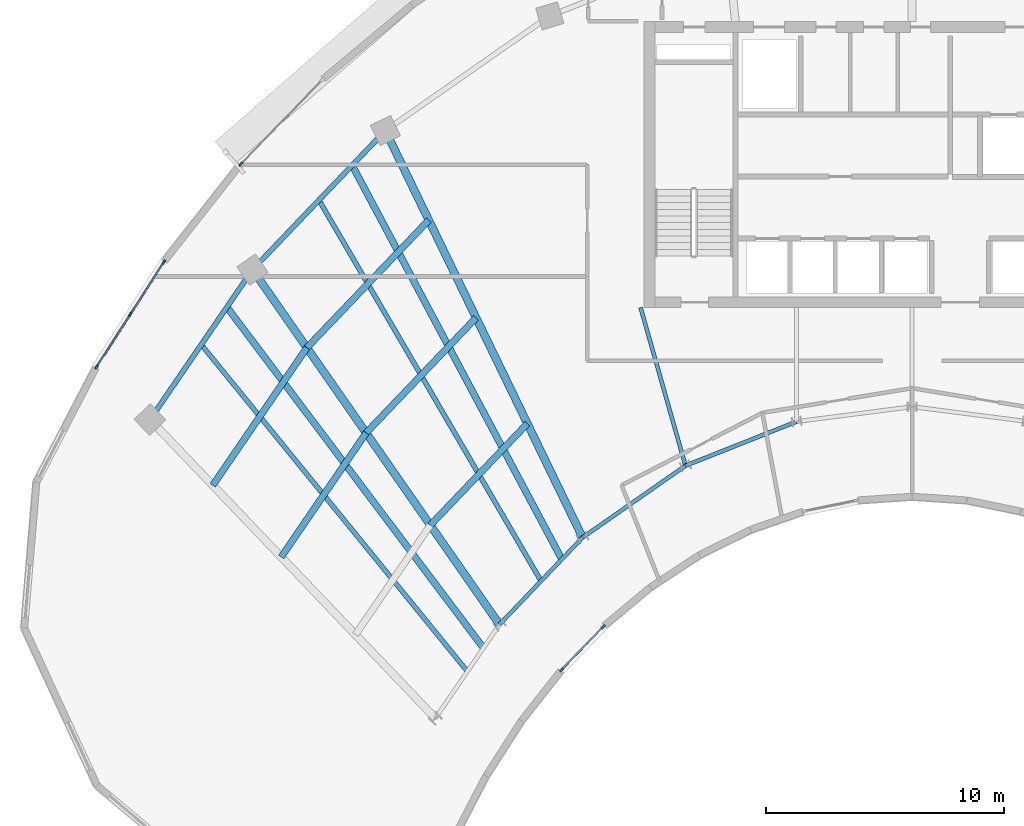
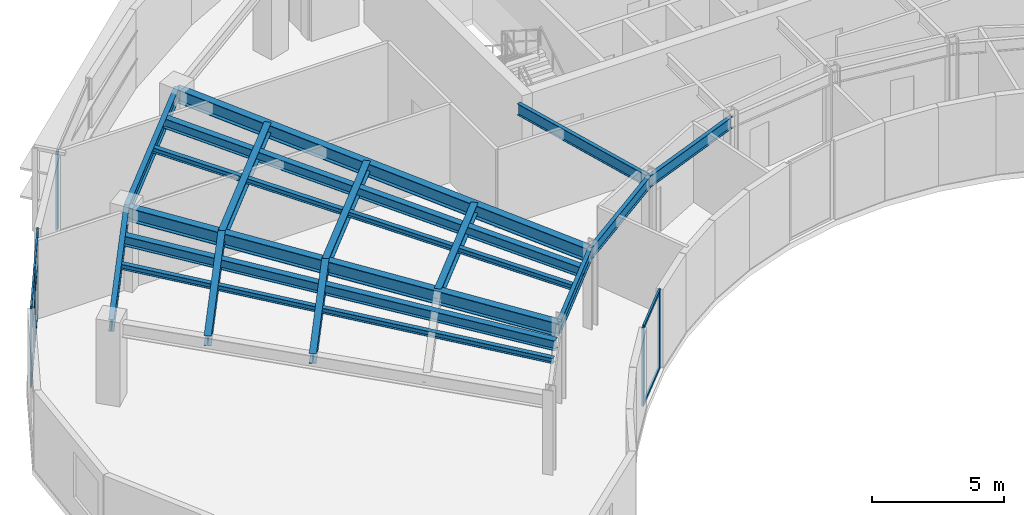
# One storey, part 2 of 14: 17 beams, 14 members, 3 elements without a shape of their own.
"""IFC4 building model written with IfcOpenShell, lengths in metres."""

import ifcopenshell
import ifcopenshell.guid

model = None  # the IFC model being written
_history = None  # IfcOwnerHistory: only IFC2X3 demands one
_inside = {}  # id of a spatial element -> (the spatial element, [elements in it])
_under = {}  # id of a project, library or spatial element -> (it, [spatial elements below it])
_declared = {}  # id of a project -> (the project, [libraries it declares])
_typed = {}  # id of a type object -> (the type object, [elements of that type])
_made_of = {}  # id of a material, layer set ... -> (it, [elements and type objects made of it])


def new_model(schema):
    """Start an empty IFC model of exactly this schema.

    Asked for "IFC4X3", IfcOpenShell would pick the latest addendum, in which some entities
    have other attributes; the version numbers below select the first issue.
    IFC2X3 requires an IfcOwnerHistory on every rooted entity: one is made here for all.
    """
    global model, _history
    if schema == "IFC4X3":
        model = ifcopenshell.file(schema_version=(4, 3, 0, 0))
    else:
        model = ifcopenshell.file(schema=schema)
    _inside.clear()
    _under.clear()
    _declared.clear()
    _typed.clear()
    _made_of.clear()
    _history = None
    if model.schema == "IFC2X3":
        org = make("IfcOrganization", Name="unknown")
        user = make(
            "IfcPersonAndOrganization",
            ThePerson=make("IfcPerson", FamilyName="unknown"),
            TheOrganization=org,
        )
        app = make(
            "IfcApplication",
            ApplicationDeveloper=org,
            Version="unknown",
            ApplicationFullName="unknown",
            ApplicationIdentifier="unknown",
        )
        _history = make(
            "IfcOwnerHistory",
            OwningUser=user,
            OwningApplication=app,
            ChangeAction="ADDED",
            CreationDate=0,
        )
    return model


def make(cls, **values):
    """One entity of the class cls with the attributes given. An attribute that is None is left unset."""
    return model.create_entity(
        cls, **{name: value for name, value in values.items() if value is not None}
    )


def rooted(cls, **values):
    """An entity with a GlobalId (a new one), such as an element, a storey or a relation."""
    return make(cls, GlobalId=ifcopenshell.guid.new(), OwnerHistory=_history, **values)


def si_unit(unit_type, name, prefix=None):
    """IfcSIUnit, for example si_unit("LENGTHUNIT", "METRE", prefix="MILLI")."""
    return make("IfcSIUnit", UnitType=unit_type, Prefix=prefix, Name=name)


def assignment(units):
    """IfcUnitAssignment: the units of a project."""
    return None if units is None else make("IfcUnitAssignment", Units=units)


def point(xyz):
    """IfcCartesianPoint."""
    return None if xyz is None else make("IfcCartesianPoint", Coordinates=xyz)


def direction(xyz):
    """IfcDirection."""
    return None if xyz is None else make("IfcDirection", DirectionRatios=xyz)


def frame(location, z_axis=None, x_axis=None):
    """IfcAxis2Placement3D, a coordinate frame: its origin and axes. An axis left out is left unset."""
    return make(
        "IfcAxis2Placement3D",
        Location=point(location),
        Axis=direction(z_axis),
        RefDirection=direction(x_axis),
    )


def frame_2d(location, x_axis=None):
    """IfcAxis2Placement2D, a coordinate frame in the plane: its origin and x axis."""
    return make(
        "IfcAxis2Placement2D", Location=point(location), RefDirection=direction(x_axis)
    )


def origin():
    """The frame at (0, 0, 0) with its axes left unset."""
    return frame((0.0, 0.0, 0.0))


def origin_2d():
    """The frame at (0, 0) in the plane with its x axis left unset."""
    return frame_2d((0.0, 0.0))


def place(relative_to, where):
    """IfcLocalPlacement: puts the frame where relative to a parent placement (None: the world)."""
    return make(
        "IfcLocalPlacement", PlacementRelTo=relative_to, RelativePlacement=where
    )


def context(
    kind, dimensions, precision=None, world=None, true_north=None, identifier=None
):
    """IfcGeometricRepresentationContext, for example the 3D "Model" context."""
    return make(
        "IfcGeometricRepresentationContext",
        ContextIdentifier=identifier,
        ContextType=kind,
        CoordinateSpaceDimension=dimensions,
        Precision=precision,
        WorldCoordinateSystem=world,
        TrueNorth=true_north,
    )


def subcontext(parent, identifier, kind, view, scale=None):
    """IfcGeometricRepresentationSubContext, for example "Body" below "Model"."""
    return make(
        "IfcGeometricRepresentationSubContext",
        ContextIdentifier=identifier,
        ContextType=kind,
        ParentContext=parent,
        TargetScale=scale,
        TargetView=view,
    )


def project(units=None, contexts=None):
    """IfcProject with its units and contexts."""
    return rooted(
        "IfcProject",
        Name="project",
        RepresentationContexts=contexts,
        UnitsInContext=assignment(units),
    )


def spatial(cls, under=None, at=None, **own):
    """A site, building, storey or space (cls), placed at a placement, below another one or the project."""
    s = rooted(cls, ObjectPlacement=at, **own)
    if under is not None:
        _under.setdefault(under.id(), (under, []))[1].append(s)
    return s


def profile(cls, at=None, kind="AREA", **sizes):
    """A parametric profile (cls). Its sizes go by their IFC names, for example OverallWidth=200.0."""
    return make(cls, ProfileType=kind, Position=at, **sizes)


def rectangle(**sizes):
    """IfcRectangleProfileDef."""
    return profile("IfcRectangleProfileDef", **sizes)


def i_section(**sizes):
    """IfcIShapeProfileDef."""
    return profile("IfcIShapeProfileDef", **sizes)


def extrude(swept, where, along, depth):
    """IfcExtrudedAreaSolid: the profile swept, set in the frame where, extruded along a direction by depth."""
    return make(
        "IfcExtrudedAreaSolid",
        SweptArea=swept,
        Position=where,
        ExtrudedDirection=direction(along),
        Depth=depth,
    )


def shape(context_of_items, identifier, shape_type, items):
    """IfcShapeRepresentation: the items that make up one representation, for example the "Body"."""
    return make(
        "IfcShapeRepresentation",
        ContextOfItems=context_of_items,
        RepresentationIdentifier=identifier,
        RepresentationType=shape_type,
        Items=items,
    )


def source(mapping_origin, context_of_items, identifier, shape_type, items):
    """IfcRepresentationMap: a shape defined once, which mapped items show again and again."""
    return make(
        "IfcRepresentationMap",
        MappingOrigin=mapping_origin,
        MappedRepresentation=shape(context_of_items, identifier, shape_type, items),
    )


def transform(
    local_origin,
    x_axis=None,
    y_axis=None,
    z_axis=None,
    scale=None,
    scale2=None,
    scale3=None,
    uniform=True,
):
    """IfcCartesianTransformationOperator3D, or its non-uniform kind. x_axis, y_axis, z_axis: its Axis1, 2, 3."""
    if uniform:
        return make(
            "IfcCartesianTransformationOperator3D",
            Axis1=direction(x_axis),
            Axis2=direction(y_axis),
            LocalOrigin=point(local_origin),
            Scale=scale,
            Axis3=direction(z_axis),
        )
    return make(
        "IfcCartesianTransformationOperator3DnonUniform",
        Axis1=direction(x_axis),
        Axis2=direction(y_axis),
        LocalOrigin=point(local_origin),
        Scale=scale,
        Axis3=direction(z_axis),
        Scale2=scale2,
        Scale3=scale3,
    )


def mapped(mapping_source, mapping_target):
    """IfcMappedItem: shows the shape of a source again, moved by a transform."""
    return make(
        "IfcMappedItem", MappingSource=mapping_source, MappingTarget=mapping_target
    )


def material(Name=None, Category=None):
    """IfcMaterial."""
    return make("IfcMaterial", Name=Name, Category=Category)


def layer(
    of_material, thickness, ventilated=None, Name=None, Category=None, Priority=None
):
    """IfcMaterialLayer: one layer of a wall or slab, of a material (None: an air gap)."""
    return make(
        "IfcMaterialLayer",
        Material=of_material,
        LayerThickness=thickness,
        IsVentilated=ventilated,
        Name=Name,
        Category=Category,
        Priority=Priority,
    )


def layer_set(layers, Name=None):
    """IfcMaterialLayerSet."""
    return make("IfcMaterialLayerSet", MaterialLayers=layers, LayerSetName=Name)


def material_profile(
    of_material, cross_section, Name=None, Category=None, Priority=None
):
    """IfcMaterialProfile: a cross section and its material."""
    return make(
        "IfcMaterialProfile",
        Name=Name,
        Material=of_material,
        Profile=cross_section,
        Priority=Priority,
        Category=Category,
    )


def profile_set(profiles, Name=None, composite=None):
    """IfcMaterialProfileSet."""
    return make(
        "IfcMaterialProfileSet",
        Name=Name,
        MaterialProfiles=profiles,
        CompositeProfile=composite,
    )


def made_of(thing, what):
    """Note that an element or type object is made of a material, layer set ...; save() writes the relation."""
    if what is not None:
        _made_of.setdefault(what.id(), (what, []))[1].append(thing)
    return thing


def type_object(cls, material=None, **own):
    """A type object (cls), such as IfcWallType, which elements share."""
    return made_of(rooted(cls, **own), material)


def type_shapes(of_type, sources):
    """Give a type object the sources (RepresentationMaps) that its elements show as mapped items."""
    of_type.RepresentationMaps = sources


def element(
    cls,
    number,
    at=None,
    inside=None,
    cuts=None,
    type_object=None,
    material=None,
    context=None,
    identifier="Body",
    shape_type=None,
    held_by="IfcProductDefinitionShape",
    body=None,
    shapes=None,
    **own,
):
    """One element of the class cls, such as IfcWall. Its Tag is "e" and its number.

    at: its placement. inside: the storey or other place that contains it. cuts: it is an
    opening in that element (IfcRelVoidsElement). A single representation is given by context,
    identifier, shape_type and body (its items); several are given by shapes. held_by: the class
    of the entity that holds the representations. save() writes the other relations.
    """
    e = rooted(cls, Tag="e%d" % number, ObjectPlacement=at, **own)
    if body is not None:
        shapes = [shape(context, identifier, shape_type, body)]
    if shapes is not None:
        e.Representation = make(held_by, Representations=shapes)
    if inside is not None:
        _inside.setdefault(inside.id(), (inside, []))[1].append(e)
    if cuts is not None:
        rooted(
            "IfcRelVoidsElement", RelatingBuildingElement=cuts, RelatedOpeningElement=e
        )
    if type_object is not None:
        _typed.setdefault(type_object.id(), (type_object, []))[1].append(e)
    return made_of(e, material)


def aggregate(whole, parts):
    """IfcRelAggregates: a whole, such as a stair, and the parts it consists of."""
    return rooted("IfcRelAggregates", RelatingObject=whole, RelatedObjects=parts)


def save(model, path):
    """Write the relations noted so far, then the file.

    IfcRelAggregates (storeys below a building ...), IfcRelContainedInSpatialStructure (elements
    in a storey), IfcRelDefinesByType, IfcRelAssociatesMaterial and IfcRelDeclares: one each for
    every whole, place, type object, material and project.
    """
    for whole, parts in _under.values():
        aggregate(whole, parts)
    for where, things in _inside.values():
        rooted(
            "IfcRelContainedInSpatialStructure",
            RelatedElements=things,
            RelatingStructure=where,
        )
    for kind, things in _typed.values():
        rooted("IfcRelDefinesByType", RelatedObjects=things, RelatingType=kind)
    for what, things in _made_of.values():
        rooted("IfcRelAssociatesMaterial", RelatedObjects=things, RelatingMaterial=what)
    for by, libraries in _declared.values():
        rooted("IfcRelDeclares", RelatingContext=by, RelatedDefinitions=libraries)
    model.write(path)


model = new_model("IFC4")

# Units and contexts
model_context = context("Model", 3, precision=1e-05, world=origin(), true_north=direction((0.0, 1.0)))
body_context = subcontext(model_context, "Body", "Model", "MODEL_VIEW")
ifc_project = project(units=[si_unit("LENGTHUNIT", "METRE"), si_unit("AREAUNIT", "SQUARE_METRE"), si_unit("VOLUMEUNIT", "CUBIC_METRE"), si_unit("PLANEANGLEUNIT", "RADIAN"), si_unit("MASSUNIT", "GRAM", prefix="KILO")], contexts=[model_context])

# Site, building, storey
site_placement = place(None, origin())
site = spatial("IfcSite", under=ifc_project, at=site_placement, CompositionType="ELEMENT")
building_placement = place(site_placement, origin())
building = spatial("IfcBuilding", under=site, at=building_placement, Name="Breltana Convention Tower", CompositionType="ELEMENT")
storey_placement = place(building_placement, frame((0.0, 0.0, 211.800048828125)))
storey = spatial("IfcBuildingStorey", under=building, at=storey_placement, Name="L51", CompositionType="ELEMENT", Elevation=211.800048828125)

# Beams
ifc_material_1 = material(Name="Steel ASTM A992 Grade 50", Category="steel")
ifc_material_profile_1 = material_profile(ifc_material_1, i_section(OverallWidth=0.280029296875, OverallDepth=0.462890625, WebThickness=0.0107421875, FlangeThickness=0.017333984375, at=origin_2d()), Name="W18X76")
ifc_profile_set_1 = profile_set([ifc_material_profile_1], Name="Steel ASTM A992 Grade 50")
beam_type_1 = type_object("IfcBeamType", Name="BM-JSG-06", PredefinedType="JOIST", material=ifc_profile_set_1)
shared_shape_1 = source(origin(), body_context, "Body", "SweptSolid", [
    extrude(i_section(OverallWidth=0.280029296875, OverallDepth=0.462890625, WebThickness=0.0107421875, FlangeThickness=0.017333984375, at=origin_2d()), origin(), (0.0, 0.0, 1.0), 6.311767578125),
])
beam_1_placement = place(storey_placement, frame((21.5166015625, 49.72607421875, 3.408447265625), z_axis=(0.564453712577, 0.825464721449, 0.0), x_axis=(-0.825464721449, 0.564453712577, 0.0)))
element("IfcBeam", 1, at=beam_1_placement, inside=storey, type_object=beam_type_1, Name="L51 Composite Floor Joist 01.2", PredefinedType="JOIST", context=body_context, shape_type="MappedRepresentation", body=[
    mapped(shared_shape_1, transform((0.0, 0.0, 0.0), scale=1.0)),
])
shared_shape_2 = source(origin(), body_context, "Body", "SweptSolid", [
    extrude(i_section(OverallWidth=0.280029296875, OverallDepth=0.462890625, WebThickness=0.0107421875, FlangeThickness=0.017333984375, at=origin_2d()), origin(), (0.0, 0.0, 1.0), 6.997314453125),
])
beam_2_placement = place(storey_placement, frame((18.641845703125, 52.735595703125, 3.408447265625), z_axis=(0.564468756361, 0.825454434292, 0.0), x_axis=(-0.825454434292, 0.564468756361, 0.0)))
element("IfcBeam", 2, at=beam_2_placement, inside=storey, type_object=beam_type_1, Name="L51 Composite Floor Joist 01.3", PredefinedType="JOIST", context=body_context, shape_type="MappedRepresentation", body=[
    mapped(shared_shape_2, transform((0.0, 0.0, 0.0), scale=1.0)),
])
ifc_material_profile_2 = material_profile(ifc_material_1, i_section(OverallWidth=0.201904296875, OverallDepth=0.2470703125, WebThickness=0.00732421875, FlangeThickness=0.010986328125, at=origin_2d()), Name="W10X33")
ifc_profile_set_2 = profile_set([ifc_material_profile_2], Name="Steel ASTM A992 Grade 50")
beam_type_2 = type_object("IfcBeamType", Name="BM-JSG-11", PredefinedType="JOIST", material=ifc_profile_set_2)
shared_shape_3 = source(origin(), body_context, "Body", "SweptSolid", [
    extrude(i_section(OverallWidth=0.201904296875, OverallDepth=0.2470703125, WebThickness=0.00732421875, FlangeThickness=0.010986328125, at=origin_2d()), origin(), (0.0, 0.0, 1.0), 17.691650390625),
])
type_shapes(beam_type_2, [shared_shape_3])
beam_3_placement = place(storey_placement, frame((29.330810546875, 44.923583984375, 3.516357421875), z_axis=(-0.631476958478, 0.775394642044, 0.0), x_axis=(-0.775394642044, -0.631476958478, 0.0)))
element("IfcBeam", 3, at=beam_3_placement, inside=storey, type_object=beam_type_2, Name="L51 Mid-Bay Radial Trimmer 01", PredefinedType="JOIST", context=body_context, shape_type="MappedRepresentation", body=[
    mapped(shared_shape_3, transform((0.0, 0.0, 0.0), scale=1.0)),
])
shared_shape_4 = source(origin(), body_context, "Body", "SweptSolid", [
    extrude(i_section(OverallWidth=0.280029296875, OverallDepth=0.462890625, WebThickness=0.0107421875, FlangeThickness=0.017333984375, at=origin_2d()), origin(), (0.0, 0.0, 1.0), 17.9072265625),
])
beam_4_placement = place(storey_placement, frame((30.00390625, 45.907958984375, 3.408447265625), z_axis=(-0.601382105028, 0.798961553363, 0.0), x_axis=(-0.798961553363, -0.601382105028, 0.0)))
element("IfcBeam", 4, at=beam_4_placement, inside=storey, type_object=beam_type_1, Name="L51 Quarter-Bay Radial Trimmer 01", PredefinedType="JOIST", context=body_context, shape_type="MappedRepresentation", body=[
    mapped(shared_shape_4, transform((0.0, 0.0, 0.0), scale=1.0)),
])
shared_shape_5 = source(origin(), body_context, "Body", "SweptSolid", [
    extrude(i_section(OverallWidth=0.280029296875, OverallDepth=0.462890625, WebThickness=0.0107421875, FlangeThickness=0.017333984375, at=origin_2d()), origin(), (0.0, 0.0, 1.0), 5.8974609375),
])
beam_5_placement = place(storey_placement, frame((27.774658203125, 51.063232421875, 3.408447265625), z_axis=(0.690713978666, 0.723128065888, 0.0), x_axis=(-0.723128065888, 0.690713978666, 0.0)))
element("IfcBeam", 5, at=beam_5_placement, inside=storey, type_object=beam_type_1, Name="L51 Composite Floor Joist 02.1", PredefinedType="JOIST", context=body_context, shape_type="MappedRepresentation", body=[
    mapped(shared_shape_5, transform((0.0, 0.0, 0.0), scale=1.0)),
])
shared_shape_6 = source(origin(), body_context, "Body", "SweptSolid", [
    extrude(i_section(OverallWidth=0.280029296875, OverallDepth=0.462890625, WebThickness=0.0107421875, FlangeThickness=0.017333984375, at=origin_2d()), origin(), (0.0, 0.0, 1.0), 6.68359375),
])
beam_6_placement = place(storey_placement, frame((25.079345703125, 54.936279296875, 3.408447265625), z_axis=(0.690720705885, 0.723121640156, 0.0), x_axis=(-0.723121640156, 0.690720705885, 0.0)))
element("IfcBeam", 6, at=beam_6_placement, inside=storey, type_object=beam_type_1, Name="L51 Composite Floor Joist 02.2", PredefinedType="JOIST", context=body_context, shape_type="MappedRepresentation", body=[
    mapped(shared_shape_6, transform((0.0, 0.0, 0.0), scale=1.0)),
])
shared_shape_7 = source(origin(), body_context, "Body", "SweptSolid", [
    extrude(i_section(OverallWidth=0.280029296875, OverallDepth=0.462890625, WebThickness=0.0107421875, FlangeThickness=0.017333984375, at=origin_2d()), origin(), (0.0, 0.0, 1.0), 7.40869140625),
])
beam_7_placement = place(storey_placement, frame((22.591552734375, 58.511474609375, 3.408447265625), z_axis=(0.690724936208, 0.723117599358, 0.0), x_axis=(-0.723117599358, 0.690724936208, 0.0)))
element("IfcBeam", 7, at=beam_7_placement, inside=storey, type_object=beam_type_1, Name="L51 Composite Floor Joist 02.3", PredefinedType="JOIST", context=body_context, shape_type="MappedRepresentation", body=[
    mapped(shared_shape_7, transform((0.0, 0.0, 0.0), scale=1.0)),
])
shared_shape_8 = source(origin(), body_context, "Body", "SweptSolid", [
    extrude(i_section(OverallWidth=0.201904296875, OverallDepth=0.2470703125, WebThickness=0.00732421875, FlangeThickness=0.010986328125, at=origin_2d()), origin(), (0.0, 0.0, 1.0), 18.50830078125),
])
beam_8_placement = place(storey_placement, frame((32.421630859375, 48.71875, 3.516357421875), z_axis=(-0.50368319637, 0.863888440537, 0.0), x_axis=(-0.863888440537, -0.50368319637, 0.0)))
element("IfcBeam", 8, at=beam_8_placement, inside=storey, type_object=beam_type_2, Name="L51 Mid-Bay Radial Trimmer 02", PredefinedType="JOIST", context=body_context, shape_type="MappedRepresentation", body=[
    mapped(shared_shape_8, transform((0.0, 0.0, 0.0), scale=1.0)),
])
shared_shape_9 = source(origin(), body_context, "Body", "SweptSolid", [
    extrude(i_section(OverallWidth=0.280029296875, OverallDepth=0.462890625, WebThickness=0.0107421875, FlangeThickness=0.017333984375, at=origin_2d()), origin(), (0.0, 0.0, 1.0), 18.731689453125),
])
beam_9_placement = place(storey_placement, frame((33.2939453125, 49.6318359375, 3.408447265625), z_axis=(-0.469820250451, 0.882762104004, 0.0), x_axis=(-0.882762104004, -0.469820250451, 0.0)))
element("IfcBeam", 9, at=beam_9_placement, inside=storey, type_object=beam_type_1, Name="L51 Quarter-Bay Radial Trimmer 02", PredefinedType="JOIST", context=body_context, shape_type="MappedRepresentation", body=[
    mapped(shared_shape_9, transform((0.0, 0.0, 0.0), scale=1.0)),
])
ifc_material_profile_3 = material_profile(ifc_material_1, i_section(OverallWidth=0.166015625, OverallDepth=0.534912109375, WebThickness=0.01025390625, FlangeThickness=0.0166015625, at=origin_2d()), Name="W21X57")
ifc_profile_set_3 = profile_set([ifc_material_profile_3], Name="Steel ASTM A992 Grade 50")
beam_type_3 = type_object("IfcBeamType", Name="BM-BM-W21X57", PredefinedType="BEAM", material=ifc_profile_set_3)
shared_shape_10 = source(origin(), body_context, "Body", "SweptSolid", [
    extrude(i_section(OverallWidth=0.166015625, OverallDepth=0.534912109375, WebThickness=0.01025390625, FlangeThickness=0.0166015625, at=origin_2d()), origin(), (0.0, 0.0, 1.0), 6.904541015625),
])
type_shapes(beam_type_3, [shared_shape_10])
beam_10_placement = place(storey_placement, frame((36.60009765625, 60.199951171875, 3.37255859375), z_axis=(0.273006781054, -0.962012108811, 0.0), x_axis=(0.962012108811, 0.273006781054, 0.0)))
element("IfcBeam", 10, at=beam_10_placement, inside=storey, type_object=beam_type_3, Name="L51 South Core Tie Girder R04", PredefinedType="BEAM", context=body_context, shape_type="MappedRepresentation", body=[
    mapped(shared_shape_10, transform((0.0, 0.0, 0.0), scale=1.0)),
])
shared_shape_11 = source(origin(), body_context, "Body", "SweptSolid", [
    extrude(i_section(OverallWidth=0.166015625, OverallDepth=0.534912109375, WebThickness=0.01025390625, FlangeThickness=0.0166015625, at=origin_2d()), origin(), (0.0, 0.0, 1.0), 5.05126953125),
])
beam_11_placement = place(storey_placement, frame((30.67724609375, 46.892333984375, 3.37255859375), z_axis=(0.690729753845, 0.7231129975, 0.0), x_axis=(-0.7231129975, 0.690729753845, 0.0)))
element("IfcBeam", 11, at=beam_11_placement, inside=storey, type_object=beam_type_3, Name="L51 Inner Ring Beam 02", PredefinedType="BEAM", context=body_context, shape_type="MappedRepresentation", body=[
    mapped(shared_shape_11, transform((0.0, 0.0, 0.0), scale=1.0)),
])
shared_shape_12 = source(origin(), body_context, "Body", "SweptSolid", [
    extrude(i_section(OverallWidth=0.166015625, OverallDepth=0.534912109375, WebThickness=0.01025390625, FlangeThickness=0.0166015625, at=origin_2d()), origin(), (0.0, 0.0, 1.0), 5.265869140625),
])
beam_12_placement = place(storey_placement, frame((34.166259765625, 50.544921875, 3.37255859375), z_axis=(0.820167429517, 0.572123577176, 0.0), x_axis=(-0.572123577176, 0.820167429517, 0.0)))
element("IfcBeam", 12, at=beam_12_placement, inside=storey, type_object=beam_type_3, Name="L51 Inner Ring Beam 03", PredefinedType="BEAM", context=body_context, shape_type="MappedRepresentation", body=[
    mapped(shared_shape_12, transform((0.0, 0.0, 0.0), scale=1.0)),
])
shared_shape_13 = source(origin(), body_context, "Body", "SweptSolid", [
    extrude(i_section(OverallWidth=0.166015625, OverallDepth=0.534912109375, WebThickness=0.01025390625, FlangeThickness=0.0166015625, at=origin_2d()), origin(), (0.0, 0.0, 1.0), 5.022705078125),
])
beam_13_placement = place(storey_placement, frame((38.485107421875, 53.5576171875, 3.37255859375), z_axis=(0.929458966248, 0.368925507469, 0.0), x_axis=(-0.368925507469, 0.929458966248, 0.0)))
element("IfcBeam", 13, at=beam_13_placement, inside=storey, type_object=beam_type_3, Name="L51 Inner Ring Beam 04", PredefinedType="BEAM", context=body_context, shape_type="MappedRepresentation", body=[
    mapped(shared_shape_13, transform((0.0, 0.0, 0.0), scale=1.0)),
])
ifc_material_profile_4 = material_profile(ifc_material_1, i_section(OverallWidth=0.326904296875, OverallDepth=0.6220703125, WebThickness=0.015380859375, FlangeThickness=0.0244140625, at=origin_2d()), Name="W24X131")
ifc_profile_set_4 = profile_set([ifc_material_profile_4], Name="Steel ASTM A992 Grade 50")
beam_type_4 = type_object("IfcBeamType", Name="BM-RG-W24X131", PredefinedType="USERDEFINED", material=ifc_profile_set_4)
shared_shape_14 = source(origin(), body_context, "Body", "SweptSolid", [
    extrude(i_section(OverallWidth=0.326904296875, OverallDepth=0.6220703125, WebThickness=0.015380859375, FlangeThickness=0.0244140625, at=origin_2d()), origin(), (0.0, 0.0, 1.0), 18.1484375),
])
beam_14_placement = place(storey_placement, frame((30.67724609375, 46.892333984375, 3.328857421875), z_axis=(-0.571207556098, 0.820805657788, 0.0), x_axis=(-0.820805657788, -0.571207556098, 0.0)))
element("IfcBeam", 14, at=beam_14_placement, inside=storey, type_object=beam_type_4, Name="L51 Radial Floor Girder R02", ObjectType="GIRDER", PredefinedType="USERDEFINED", context=body_context, shape_type="MappedRepresentation", body=[
    mapped(shared_shape_14, transform((0.0, 0.0, 0.0), scale=1.0)),
])
shared_shape_15 = source(origin(), body_context, "Body", "SweptSolid", [
    extrude(i_section(OverallWidth=0.326904296875, OverallDepth=0.6220703125, WebThickness=0.015380859375, FlangeThickness=0.0244140625, at=origin_2d()), origin(), (0.0, 0.0, 1.0), 18.982421875),
])
beam_15_placement = place(storey_placement, frame((34.166259765625, 50.544921875, 3.328857421875), z_axis=(-0.436118560343, 0.89988921614, 0.0), x_axis=(-0.89988921614, -0.436118560343, 0.0)))
element("IfcBeam", 15, at=beam_15_placement, inside=storey, type_object=beam_type_4, Name="L51 Radial Floor Girder R03", ObjectType="GIRDER", PredefinedType="USERDEFINED", context=body_context, shape_type="MappedRepresentation", body=[
    mapped(shared_shape_15, transform((0.0, 0.0, 0.0), scale=1.0)),
])
ifc_material_profile_5 = material_profile(ifc_material_1, i_section(OverallWidth=0.214111328125, OverallDepth=0.549072265625, WebThickness=0.0146484375, FlangeThickness=0.023681640625, at=origin_2d()), Name="W21X93")
ifc_profile_set_5 = profile_set([ifc_material_profile_5], Name="Steel ASTM A992 Grade 50")
beam_type_5 = type_object("IfcBeamType", Name="BM-SP-W21X93", PredefinedType="SPANDREL", material=ifc_profile_set_5)
shared_shape_16 = source(origin(), body_context, "Body", "SweptSolid", [
    extrude(i_section(OverallWidth=0.214111328125, OverallDepth=0.549072265625, WebThickness=0.0146484375, FlangeThickness=0.023681640625, at=origin_2d()), origin(), (0.0, 0.0, 1.0), 7.625),
])
type_shapes(beam_type_5, [shared_shape_16])
beam_16_placement = place(storey_placement, frame((16.0068359375, 55.494384765625, 3.365478515625), z_axis=(0.564452031902, 0.825465870694, 0.0), x_axis=(-0.825465870694, 0.564452031902, 0.0)))
element("IfcBeam", 16, at=beam_16_placement, inside=storey, type_object=beam_type_5, Name="L51 Outer Spandrel Beam 01", PredefinedType="SPANDREL", context=body_context, shape_type="MappedRepresentation", body=[
    mapped(shared_shape_16, transform((0.0, 0.0, 0.0), scale=1.0)),
])
shared_shape_17 = source(origin(), body_context, "Body", "SweptSolid", [
    extrude(i_section(OverallWidth=0.214111328125, OverallDepth=0.549072265625, WebThickness=0.0146484375, FlangeThickness=0.023681640625, at=origin_2d()), origin(), (0.0, 0.0, 1.0), 8.073974609375),
])
beam_17_placement = place(storey_placement, frame((20.310791015625, 61.78857421875, 3.365478515625), z_axis=(0.69072885448, 0.723113856588, 0.0), x_axis=(-0.723113856588, 0.69072885448, 0.0)))
element("IfcBeam", 17, at=beam_17_placement, inside=storey, type_object=beam_type_5, Name="L51 Outer Spandrel Beam 02", PredefinedType="SPANDREL", context=body_context, shape_type="MappedRepresentation", body=[
    mapped(shared_shape_17, transform((0.0, 0.0, 0.0), scale=1.0)),
])

# Curtain wall, members
ifc_material_2 = material(Name="Aluminium Anodised Bronze Frame", Category="aluminium")
ifc_layer_1 = layer(ifc_material_2, 0.18994140625, Name="Aluminium Anodised Bronze Frame")
ifc_layer_set_1 = layer_set([ifc_layer_1], Name="Aluminium Anodised Bronze Frame")
curtain_wall_type_1 = type_object("IfcCurtainWallType", Name="CW-SYS-1", PredefinedType="NOTDEFINED", material=ifc_layer_set_1)
curtain_wall_1_placement = place(storey_placement, origin())
curtain_wall_1 = element("IfcCurtainWall", 18, at=curtain_wall_1_placement, inside=storey, type_object=curtain_wall_type_1, Name="L51 inner south-court glazing 5", PredefinedType="NOTDEFINED")
ifc_material_3 = material(Name="Aluminium Anodised Bronze", Category="aluminium")
ifc_material_profile_6 = material_profile(ifc_material_3, rectangle(XDim=0.080078125, YDim=0.139892578125, at=origin_2d()), Name="CWT-80X140")
ifc_profile_set_6 = profile_set([ifc_material_profile_6], Name="Aluminium Anodised Bronze")
member_type_1 = type_object("IfcMemberType", Name="CWT-140", PredefinedType="USERDEFINED", material=ifc_profile_set_6)
shared_shape_18 = source(origin(), body_context, "Body", "SweptSolid", [
    extrude(rectangle(XDim=0.080078125, YDim=0.139892578125, at=origin_2d()), origin(), (0.0, 0.0, 1.0), 2.427490234375),
])
member_1_placement = place(storey_placement, frame((35.00244140625, 46.77001953125, 0.0400390625), z_axis=(-0.694628613474, -0.719368535135, 0.0), x_axis=(0.719368535135, -0.694628613474, 0.0)))
member_1 = element("IfcMember", 19, at=member_1_placement, type_object=member_type_1, Name="CW-01 transom 1.1", ObjectType="TRANSOM", PredefinedType="USERDEFINED", context=body_context, shape_type="MappedRepresentation", body=[
    mapped(shared_shape_18, transform((0.0, 0.0, 0.0), scale=1.0)),
])
member_2_placement = place(storey_placement, frame((35.00244140625, 46.77001953125, 3.599853515625), z_axis=(-0.694628613474, -0.719368535135, 0.0), x_axis=(0.719368535135, -0.694628613474, 0.0)))
member_2 = element("IfcMember", 20, at=member_2_placement, type_object=member_type_1, Name="CW-01 transom 1.2", ObjectType="TRANSOM", PredefinedType="USERDEFINED", context=body_context, shape_type="MappedRepresentation", body=[
    mapped(shared_shape_18, transform((0.0, 0.0, 0.0), scale=1.0)),
])
ifc_material_profile_7 = material_profile(ifc_material_3, rectangle(XDim=0.080078125, YDim=0.199951171875, at=origin_2d()), Name="CWM-80X200")
ifc_profile_set_7 = profile_set([ifc_material_profile_7], Name="Aluminium Anodised Bronze")
member_type_2 = type_object("IfcMemberType", Name="CWM-200", PredefinedType="MULLION", material=ifc_profile_set_7)
shared_shape_19 = source(origin(), body_context, "Body", "SweptSolid", [
    extrude(rectangle(XDim=0.080078125, YDim=0.199951171875, at=origin_2d()), origin(), (0.0, 0.0, 1.0), 3.639892578125),
])
member_3_placement = place(storey_placement, frame((35.0302734375, 46.798828125, 0.0), z_axis=(0.0, 0.0, 1.0), x_axis=(0.719365500595, -0.694631756079, 0.0)))
member_3 = element("IfcMember", 21, at=member_3_placement, type_object=member_type_2, Name="CW-01 mullion 1", PredefinedType="MULLION", context=body_context, shape_type="MappedRepresentation", body=[
    mapped(shared_shape_19, transform((0.0, 0.0, 0.0), scale=1.0)),
])
member_4_placement = place(storey_placement, frame((33.288330078125, 44.994873046875, 0.0), z_axis=(0.0, 0.0, 1.0), x_axis=(0.719365500595, -0.694631756079, 0.0)))
member_4 = element("IfcMember", 22, at=member_4_placement, type_object=member_type_2, Name="CW-01 mullion 2", PredefinedType="MULLION", context=body_context, shape_type="MappedRepresentation", body=[
    mapped(shared_shape_19, transform((0.0, 0.0, 0.0), scale=1.0)),
])
aggregate(curtain_wall_1, [member_3, member_4, member_1, member_2])

ifc_layer_2 = layer(ifc_material_2, 0.219970703125, Name="Aluminium Anodised Bronze Frame")
ifc_layer_set_2 = layer_set([ifc_layer_2], Name="Aluminium Anodised Bronze Frame")
curtain_wall_type_2 = type_object("IfcCurtainWallType", Name="CW-SYS-4", PredefinedType="NOTDEFINED", material=ifc_layer_set_2)
curtain_wall_2_placement = place(storey_placement, origin())
curtain_wall_2 = element("IfcCurtainWall", 23, at=curtain_wall_2_placement, inside=storey, type_object=curtain_wall_type_2, Name="L51 outer double-skin inner glazing 1", PredefinedType="NOTDEFINED")
member_5_placement = place(storey_placement, frame((13.76611328125, 57.710693359375, 0.0), z_axis=(0.0, 0.0, 1.0), x_axis=(-0.84154835428, 0.540181791075, 0.0)))
member_5 = element("IfcMember", 24, at=member_5_placement, type_object=member_type_2, Name="CW-04 mullion 1", PredefinedType="MULLION", context=body_context, shape_type="MappedRepresentation", body=[
    mapped(shared_shape_19, transform((0.0, 0.0, 0.0), scale=1.0)),
])
member_6_placement = place(storey_placement, frame((15.1767578125, 59.908203125, 0.0), z_axis=(0.0, 0.0, 1.0), x_axis=(-0.84154835428, 0.540181791075, 0.0)))
member_6 = element("IfcMember", 25, at=member_6_placement, type_object=member_type_2, Name="CW-04 mullion 2", PredefinedType="MULLION", context=body_context, shape_type="MappedRepresentation", body=[
    mapped(shared_shape_19, transform((0.0, 0.0, 0.0), scale=1.0)),
])
member_7_placement = place(storey_placement, frame((16.58740234375, 62.10595703125, 0.0), z_axis=(0.0, 0.0, 1.0), x_axis=(-0.84154835428, 0.540181791075, 0.0)))
member_7 = element("IfcMember", 26, at=member_7_placement, type_object=member_type_2, Name="CW-04 mullion 3", PredefinedType="MULLION", context=body_context, shape_type="MappedRepresentation", body=[
    mapped(shared_shape_19, transform((0.0, 0.0, 0.0), scale=1.0)),
])

# Curtain wall, member
curtain_wall_3_placement = place(storey_placement, origin())
curtain_wall_3 = element("IfcCurtainWall", 27, at=curtain_wall_3_placement, inside=storey, type_object=curtain_wall_type_2, Name="L51 outer double-skin inner glazing 2", PredefinedType="NOTDEFINED")
member_8_placement = place(storey_placement, frame((19.822265625, 66.218994140625, 0.0), z_axis=(0.0, 0.0, 1.0), x_axis=(-0.719396292115, 0.694599866751, 0.0)))
member_8 = element("IfcMember", 28, at=member_8_placement, type_object=member_type_2, Name="CW-04 mullion 1", PredefinedType="MULLION", context=body_context, shape_type="MappedRepresentation", body=[
    mapped(shared_shape_19, transform((0.0, 0.0, 0.0), scale=1.0)),
])
aggregate(curtain_wall_3, [member_8])

# Member
ifc_material_profile_8 = material_profile(ifc_material_3, rectangle(XDim=0.070068359375, YDim=0.1201171875, at=origin_2d()), Name="CWT-70X120")
ifc_profile_set_8 = profile_set([ifc_material_profile_8], Name="Aluminium Anodised Bronze")
member_type_3 = type_object("IfcMemberType", Name="CWT-120", PredefinedType="USERDEFINED", material=ifc_profile_set_8)
shared_shape_20 = source(origin(), body_context, "Body", "SweptSolid", [
    extrude(rectangle(XDim=0.070068359375, YDim=0.1201171875, at=origin_2d()), origin(), (0.0, 0.0, 1.0), 2.531494140625),
])
member_9_placement = place(storey_placement, frame((13.787841796875, 57.744384765625, 0.034912109375), z_axis=(0.540172540617, 0.841554291988, 0.0), x_axis=(-0.841554291988, 0.540172540617, 0.0)))
member_9 = element("IfcMember", 29, at=member_9_placement, type_object=member_type_3, Name="CW-04 transom 1.1", ObjectType="TRANSOM", PredefinedType="USERDEFINED", context=body_context, shape_type="MappedRepresentation", body=[
    mapped(shared_shape_20, transform((0.0, 0.0, 0.0), scale=1.0)),
])

member_10_placement = place(storey_placement, frame((13.787841796875, 57.744384765625, 2.365966796875), z_axis=(0.540172540617, 0.841554291988, 0.0), x_axis=(-0.841554291988, 0.540172540617, 0.0)))
member_10 = element("IfcMember", 30, at=member_10_placement, type_object=member_type_3, Name="CW-04 transom 1.2", ObjectType="TRANSOM", PredefinedType="USERDEFINED", context=body_context, shape_type="MappedRepresentation", body=[
    mapped(shared_shape_20, transform((0.0, 0.0, 0.0), scale=1.0)),
])

member_11_placement = place(storey_placement, frame((13.787841796875, 57.744384765625, 3.60498046875), z_axis=(0.540172540617, 0.841554291988, 0.0), x_axis=(-0.841554291988, 0.540172540617, 0.0)))
member_11 = element("IfcMember", 31, at=member_11_placement, type_object=member_type_3, Name="CW-04 transom 1.3", ObjectType="TRANSOM", PredefinedType="USERDEFINED", context=body_context, shape_type="MappedRepresentation", body=[
    mapped(shared_shape_20, transform((0.0, 0.0, 0.0), scale=1.0)),
])

member_12_placement = place(storey_placement, frame((15.198486328125, 59.94189453125, 0.034912109375), z_axis=(0.540172540617, 0.841554291988, 0.0), x_axis=(-0.841554291988, 0.540172540617, 0.0)))
member_12 = element("IfcMember", 32, at=member_12_placement, type_object=member_type_3, Name="CW-04 transom 2.1", ObjectType="TRANSOM", PredefinedType="USERDEFINED", context=body_context, shape_type="MappedRepresentation", body=[
    mapped(shared_shape_20, transform((0.0, 0.0, 0.0), scale=1.0)),
])

member_13_placement = place(storey_placement, frame((15.198486328125, 59.94189453125, 2.365966796875), z_axis=(0.540172540617, 0.841554291988, 0.0), x_axis=(-0.841554291988, 0.540172540617, 0.0)))
member_13 = element("IfcMember", 33, at=member_13_placement, type_object=member_type_3, Name="CW-04 transom 2.2", ObjectType="TRANSOM", PredefinedType="USERDEFINED", context=body_context, shape_type="MappedRepresentation", body=[
    mapped(shared_shape_20, transform((0.0, 0.0, 0.0), scale=1.0)),
])

member_14_placement = place(storey_placement, frame((15.198486328125, 59.94189453125, 3.60498046875), z_axis=(0.540172540617, 0.841554291988, 0.0), x_axis=(-0.841554291988, 0.540172540617, 0.0)))
member_14 = element("IfcMember", 34, at=member_14_placement, type_object=member_type_3, Name="CW-04 transom 2.3", ObjectType="TRANSOM", PredefinedType="USERDEFINED", context=body_context, shape_type="MappedRepresentation", body=[
    mapped(shared_shape_20, transform((0.0, 0.0, 0.0), scale=1.0)),
])

aggregate(curtain_wall_2, [member_5, member_6, member_7, member_9, member_10, member_11, member_12, member_13, member_14])

save(model, "model.ifc")
